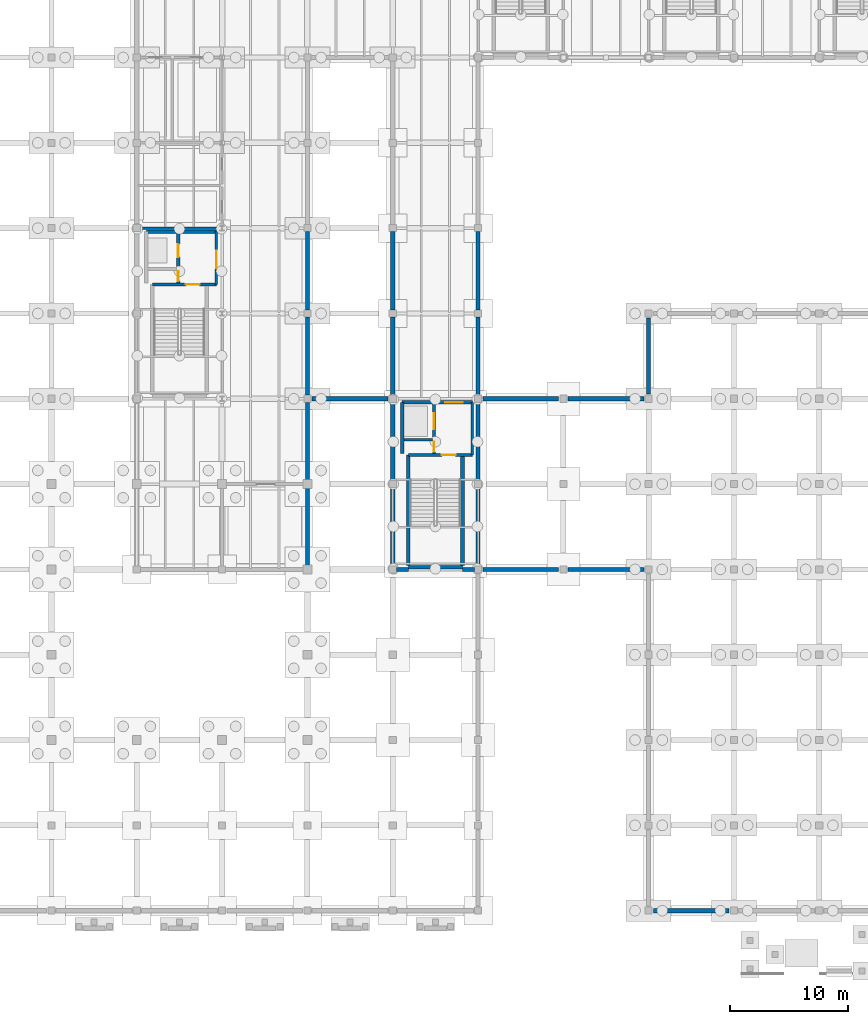
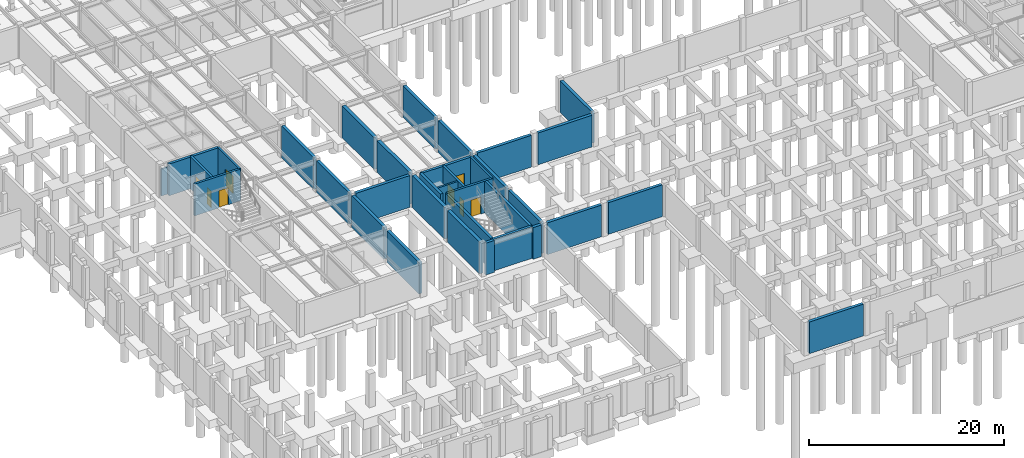
# One storey, part 31 of 46: 35 walls, 8 doors, 8 openings.
"""IFC4 building model written with IfcOpenShell, lengths in metres."""

import ifcopenshell
import ifcopenshell.guid

model = None  # the IFC model being written
_history = None  # IfcOwnerHistory: only IFC2X3 demands one
_inside = {}  # id of a spatial element -> (the spatial element, [elements in it])
_under = {}  # id of a project, library or spatial element -> (it, [spatial elements below it])
_declared = {}  # id of a project -> (the project, [libraries it declares])
_typed = {}  # id of a type object -> (the type object, [elements of that type])
_made_of = {}  # id of a material, layer set ... -> (it, [elements and type objects made of it])


def new_model(schema):
    """Start an empty IFC model of exactly this schema.

    Asked for "IFC4X3", IfcOpenShell would pick the latest addendum, in which some entities
    have other attributes; the version numbers below select the first issue.
    IFC2X3 requires an IfcOwnerHistory on every rooted entity: one is made here for all.
    """
    global model, _history
    if schema == "IFC4X3":
        model = ifcopenshell.file(schema_version=(4, 3, 0, 0))
    else:
        model = ifcopenshell.file(schema=schema)
    _inside.clear()
    _under.clear()
    _declared.clear()
    _typed.clear()
    _made_of.clear()
    _history = None
    if model.schema == "IFC2X3":
        org = make("IfcOrganization", Name="unknown")
        user = make(
            "IfcPersonAndOrganization",
            ThePerson=make("IfcPerson", FamilyName="unknown"),
            TheOrganization=org,
        )
        app = make(
            "IfcApplication",
            ApplicationDeveloper=org,
            Version="unknown",
            ApplicationFullName="unknown",
            ApplicationIdentifier="unknown",
        )
        _history = make(
            "IfcOwnerHistory",
            OwningUser=user,
            OwningApplication=app,
            ChangeAction="ADDED",
            CreationDate=0,
        )
    return model


def make(cls, **values):
    """One entity of the class cls with the attributes given. An attribute that is None is left unset."""
    return model.create_entity(
        cls, **{name: value for name, value in values.items() if value is not None}
    )


def rooted(cls, **values):
    """An entity with a GlobalId (a new one), such as an element, a storey or a relation."""
    return make(cls, GlobalId=ifcopenshell.guid.new(), OwnerHistory=_history, **values)


def si_unit(unit_type, name, prefix=None):
    """IfcSIUnit, for example si_unit("LENGTHUNIT", "METRE", prefix="MILLI")."""
    return make("IfcSIUnit", UnitType=unit_type, Prefix=prefix, Name=name)


def assignment(units):
    """IfcUnitAssignment: the units of a project."""
    return None if units is None else make("IfcUnitAssignment", Units=units)


def point(xyz):
    """IfcCartesianPoint."""
    return None if xyz is None else make("IfcCartesianPoint", Coordinates=xyz)


def direction(xyz):
    """IfcDirection."""
    return None if xyz is None else make("IfcDirection", DirectionRatios=xyz)


def frame(location, z_axis=None, x_axis=None):
    """IfcAxis2Placement3D, a coordinate frame: its origin and axes. An axis left out is left unset."""
    return make(
        "IfcAxis2Placement3D",
        Location=point(location),
        Axis=direction(z_axis),
        RefDirection=direction(x_axis),
    )


def frame_2d(location, x_axis=None):
    """IfcAxis2Placement2D, a coordinate frame in the plane: its origin and x axis."""
    return make(
        "IfcAxis2Placement2D", Location=point(location), RefDirection=direction(x_axis)
    )


def origin():
    """The frame at (0, 0, 0) with its axes left unset."""
    return frame((0.0, 0.0, 0.0))


def place(relative_to, where):
    """IfcLocalPlacement: puts the frame where relative to a parent placement (None: the world)."""
    return make(
        "IfcLocalPlacement", PlacementRelTo=relative_to, RelativePlacement=where
    )


def context(
    kind, dimensions, precision=None, world=None, true_north=None, identifier=None
):
    """IfcGeometricRepresentationContext, for example the 3D "Model" context."""
    return make(
        "IfcGeometricRepresentationContext",
        ContextIdentifier=identifier,
        ContextType=kind,
        CoordinateSpaceDimension=dimensions,
        Precision=precision,
        WorldCoordinateSystem=world,
        TrueNorth=true_north,
    )


def subcontext(parent, identifier, kind, view, scale=None):
    """IfcGeometricRepresentationSubContext, for example "Body" below "Model"."""
    return make(
        "IfcGeometricRepresentationSubContext",
        ContextIdentifier=identifier,
        ContextType=kind,
        ParentContext=parent,
        TargetScale=scale,
        TargetView=view,
    )


def project(units=None, contexts=None):
    """IfcProject with its units and contexts."""
    return rooted(
        "IfcProject",
        Name="project",
        RepresentationContexts=contexts,
        UnitsInContext=assignment(units),
    )


def spatial(cls, under=None, at=None, **own):
    """A site, building, storey or space (cls), placed at a placement, below another one or the project."""
    s = rooted(cls, ObjectPlacement=at, **own)
    if under is not None:
        _under.setdefault(under.id(), (under, []))[1].append(s)
    return s


def profile(cls, at=None, kind="AREA", **sizes):
    """A parametric profile (cls). Its sizes go by their IFC names, for example OverallWidth=200.0."""
    return make(cls, ProfileType=kind, Position=at, **sizes)


def rectangle(**sizes):
    """IfcRectangleProfileDef."""
    return profile("IfcRectangleProfileDef", **sizes)


def extrude(swept, where, along, depth):
    """IfcExtrudedAreaSolid: the profile swept, set in the frame where, extruded along a direction by depth."""
    return make(
        "IfcExtrudedAreaSolid",
        SweptArea=swept,
        Position=where,
        ExtrudedDirection=direction(along),
        Depth=depth,
    )


def shape(context_of_items, identifier, shape_type, items):
    """IfcShapeRepresentation: the items that make up one representation, for example the "Body"."""
    return make(
        "IfcShapeRepresentation",
        ContextOfItems=context_of_items,
        RepresentationIdentifier=identifier,
        RepresentationType=shape_type,
        Items=items,
    )


def material(Name=None, Category=None):
    """IfcMaterial."""
    return make("IfcMaterial", Name=Name, Category=Category)


def layer(
    of_material, thickness, ventilated=None, Name=None, Category=None, Priority=None
):
    """IfcMaterialLayer: one layer of a wall or slab, of a material (None: an air gap)."""
    return make(
        "IfcMaterialLayer",
        Material=of_material,
        LayerThickness=thickness,
        IsVentilated=ventilated,
        Name=Name,
        Category=Category,
        Priority=Priority,
    )


def layer_set(layers, Name=None):
    """IfcMaterialLayerSet."""
    return make("IfcMaterialLayerSet", MaterialLayers=layers, LayerSetName=Name)


def made_of(thing, what):
    """Note that an element or type object is made of a material, layer set ...; save() writes the relation."""
    if what is not None:
        _made_of.setdefault(what.id(), (what, []))[1].append(thing)
    return thing


def type_object(cls, material=None, **own):
    """A type object (cls), such as IfcWallType, which elements share."""
    return made_of(rooted(cls, **own), material)


def element(
    cls,
    number,
    at=None,
    inside=None,
    cuts=None,
    type_object=None,
    material=None,
    context=None,
    identifier="Body",
    shape_type=None,
    held_by="IfcProductDefinitionShape",
    body=None,
    shapes=None,
    **own,
):
    """One element of the class cls, such as IfcWall. Its Tag is "e" and its number.

    at: its placement. inside: the storey or other place that contains it. cuts: it is an
    opening in that element (IfcRelVoidsElement). A single representation is given by context,
    identifier, shape_type and body (its items); several are given by shapes. held_by: the class
    of the entity that holds the representations. save() writes the other relations.
    """
    e = rooted(cls, Tag="e%d" % number, ObjectPlacement=at, **own)
    if body is not None:
        shapes = [shape(context, identifier, shape_type, body)]
    if shapes is not None:
        e.Representation = make(held_by, Representations=shapes)
    if inside is not None:
        _inside.setdefault(inside.id(), (inside, []))[1].append(e)
    if cuts is not None:
        rooted(
            "IfcRelVoidsElement", RelatingBuildingElement=cuts, RelatedOpeningElement=e
        )
    if type_object is not None:
        _typed.setdefault(type_object.id(), (type_object, []))[1].append(e)
    return made_of(e, material)


def fill(opening, filler):
    """IfcRelFillsElement: the door or window that sits in an opening."""
    return rooted(
        "IfcRelFillsElement",
        RelatingOpeningElement=opening,
        RelatedBuildingElement=filler,
    )


def aggregate(whole, parts):
    """IfcRelAggregates: a whole, such as a stair, and the parts it consists of."""
    return rooted("IfcRelAggregates", RelatingObject=whole, RelatedObjects=parts)


def save(model, path):
    """Write the relations noted so far, then the file.

    IfcRelAggregates (storeys below a building ...), IfcRelContainedInSpatialStructure (elements
    in a storey), IfcRelDefinesByType, IfcRelAssociatesMaterial and IfcRelDeclares: one each for
    every whole, place, type object, material and project.
    """
    for whole, parts in _under.values():
        aggregate(whole, parts)
    for where, things in _inside.values():
        rooted(
            "IfcRelContainedInSpatialStructure",
            RelatedElements=things,
            RelatingStructure=where,
        )
    for kind, things in _typed.values():
        rooted("IfcRelDefinesByType", RelatedObjects=things, RelatingType=kind)
    for what, things in _made_of.values():
        rooted("IfcRelAssociatesMaterial", RelatedObjects=things, RelatingMaterial=what)
    for by, libraries in _declared.values():
        rooted("IfcRelDeclares", RelatingContext=by, RelatedDefinitions=libraries)
    model.write(path)


model = new_model("IFC4")

# Units and contexts
model_context = context("Model", 3, precision=1e-05, world=origin(), true_north=direction((0.0, 1.0)))
body_context = subcontext(model_context, "Body", "Model", "MODEL_VIEW")
ifc_project = project(units=[si_unit("LENGTHUNIT", "METRE"), si_unit("AREAUNIT", "SQUARE_METRE"), si_unit("VOLUMEUNIT", "CUBIC_METRE"), si_unit("PLANEANGLEUNIT", "RADIAN"), si_unit("MASSUNIT", "GRAM", prefix="KILO")], contexts=[model_context])

# Site, building, storey
site_placement = place(None, origin())
site = spatial("IfcSite", under=ifc_project, at=site_placement, CompositionType="ELEMENT")
building_placement = place(site_placement, origin())
building = spatial("IfcBuilding", under=site, at=building_placement, Name="Sillqori Civic Hall", CompositionType="ELEMENT")
storey_placement = place(building_placement, frame((0.0, 0.0, -4.199951171875)))
storey = spatial("IfcBuildingStorey", under=building, at=storey_placement, Name="B01", CompositionType="ELEMENT", Elevation=-4.199951171875)

# Walls
ifc_material_1 = material(Name="Concrete C35/45 (H35)", Category="concrete")
ifc_layer_1 = layer(ifc_material_1, 0.219970703125)
ifc_layer_set_1 = layer_set([ifc_layer_1], Name="Concrete C35/45 (H35)")
wall_type_1 = type_object("IfcWallType", Name="CW-SHR-220", PredefinedType="SHEAR", material=ifc_layer_set_1)
wall_1_placement = place(storey_placement, frame((44.14990234375, 46.949951171875, 0.0), z_axis=(0.0, 0.0, 1.0), x_axis=(1.0, 0.0, 0.0)))
element("IfcWall", 1, at=wall_1_placement, inside=storey, type_object=wall_type_1, Name="B01 C1 Lift-riser divider wall", PredefinedType="SHEAR", context=body_context, shape_type="SweptSolid", body=[
    extrude(rectangle(XDim=2.400146484375, YDim=0.219970703125, at=frame_2d((1.2001953125, 0.0))), origin(), (0.0, 0.0, 1.0), 3.97998046875),
])
wall_2_placement = place(storey_placement, frame((49.919921875, 50.10009765625, 0.0), z_axis=(0.0, 0.0, 1.0), x_axis=(0.0, -1.0, 0.0)))
element("IfcWall", 2, at=wall_2_placement, inside=storey, type_object=wall_type_1, Name="B01 C1 firefighting lobby enclosure wall", PredefinedType="SHEAR", context=body_context, shape_type="SweptSolid", body=[
    extrude(rectangle(XDim=4.4501953125, YDim=0.219970703125, at=frame_2d((2.22509765625, 0.0))), origin(), (0.0, 0.0, 1.0), 3.97998046875),
])

# Wall, opening, door
wall_3_placement = place(storey_placement, frame((28.320068359375, 64.5, 0.0), z_axis=(0.0, 0.0, 1.0), x_axis=(0.0, -1.0, 0.0)))
wall_3 = element("IfcWall", 3, at=wall_3_placement, inside=storey, type_object=wall_type_1, Name="B01 C4 firefighting lobby enclosure wall", PredefinedType="SHEAR", context=body_context, shape_type="SweptSolid", body=[
    extrude(rectangle(XDim=4.449951171875, YDim=0.219970703125, at=frame_2d((2.22509765625, 0.0))), origin(), (0.0, 0.0, 1.0), 3.97998046875),
])
opening_1_placement = place(wall_3_placement, frame((1.625, 0.0, 0.0)))
opening_1 = element("IfcOpeningElement", 4, at=opening_1_placement, cuts=wall_3, Name="Opening FD-03", PredefinedType="OPENING", context=body_context, shape_type="SweptSolid", body=[
    extrude(rectangle(XDim=1.449951171875, YDim=2.199951171875, at=frame_2d((0.72509765625, 1.10009765625))), frame((0.0, 0.119873046875, 0.0), z_axis=(0.0, -1.0, 0.0), x_axis=(1.0, 0.0, 0.0)), (0.0, 0.0, 1.0), 0.239990234375),
])
ifc_material_2 = material(Name="Double-Leaf Smoke-Seal Lobby Door", Category="steel")
door_type_1 = type_object("IfcDoorType", Name="FDR-LOB-145X220", OperationType="NOTDEFINED", PredefinedType="DOOR", material=ifc_material_2)
door_1_placement = place(opening_1_placement, origin())
door_1 = element("IfcDoor", 5, at=door_1_placement, inside=storey, type_object=door_type_1, Name="B01 C4 firefighting lobby exit door", OperationType="DOUBLE_DOOR_SINGLE_SWING", OverallHeight=2.199951171875, OverallWidth=1.449951171875, PredefinedType="DOOR", context=body_context, shape_type="SweptSolid", body=[
    extrude(rectangle(XDim=1.449951171875, YDim=2.199951171875, at=frame_2d((0.72509765625, 1.10009765625))), frame((0.0, 0.02490234375, 0.0), z_axis=(0.0, -1.0, 0.0), x_axis=(1.0, 0.0, 0.0)), (0.0, 0.0, 1.0), 0.050048828125),
])
fill(opening_1, door_1)

ifc_layer_2 = layer(ifc_material_1, 0.260009765625)
ifc_layer_set_2 = layer_set([ifc_layer_2], Name="Concrete C35/45 (H35)")
wall_type_2 = type_object("IfcWallType", Name="CW-SHR-260", PredefinedType="SHEAR", material=ifc_layer_set_2)
wall_4_placement = place(storey_placement, frame((44.510009765625, 45.64990234375, 0.0), z_axis=(0.0, 0.0, 1.0), x_axis=(1.0, 0.0, 0.0)))
wall_4 = element("IfcWall", 6, at=wall_4_placement, inside=storey, type_object=wall_type_2, Name="B01 C1 Stair-lobby fire wall", PredefinedType="SHEAR", context=body_context, shape_type="SweptSolid", body=[
    extrude(rectangle(XDim=5.409912109375, YDim=0.260009765625, at=frame_2d((2.705078125, 0.0))), origin(), (0.0, 0.0, 1.0), 3.97998046875),
])
opening_2_placement = place(wall_4_placement, frame((2.840087890625, 0.0, 0.0)))
opening_2 = element("IfcOpeningElement", 7, at=opening_2_placement, cuts=wall_4, Name="Opening FD-01", PredefinedType="OPENING", context=body_context, shape_type="SweptSolid", body=[
    extrude(rectangle(XDim=1.14990234375, YDim=2.14990234375, at=frame_2d((0.574951171875, 1.074951171875))), frame((0.0, 0.139892578125, 0.0), z_axis=(0.0, -1.0, 0.0), x_axis=(1.0, 0.0, 0.0)), (0.0, 0.0, 1.0), 0.280029296875),
])
ifc_material_3 = material(Name="Galvanized Steel Fire Door FD90S", Category="steel")
door_type_2 = type_object("IfcDoorType", Name="FDR-STR-115X215", OperationType="NOTDEFINED", PredefinedType="DOOR", material=ifc_material_3)
door_2_placement = place(opening_2_placement, origin())
door_2 = element("IfcDoor", 8, at=door_2_placement, inside=storey, type_object=door_type_2, Name="B01 stair ST-01 fire door", OperationType="SINGLE_SWING_RIGHT", OverallHeight=2.14990234375, OverallWidth=1.14990234375, PredefinedType="DOOR", context=body_context, shape_type="SweptSolid", body=[
    extrude(rectangle(XDim=1.14990234375, YDim=2.14990234375, at=frame_2d((0.574951171875, 1.074951171875))), frame((0.0, 0.02490234375, 0.0), z_axis=(0.0, -1.0, 0.0), x_axis=(1.0, 0.0, 0.0)), (0.0, 0.0, 1.0), 0.050048828125),
])
fill(opening_2, door_2)

# Wall, openings, doors
wall_5_placement = place(storey_placement, frame((46.699951171875, 50.10009765625, 0.0), z_axis=(0.0, 0.0, 1.0), x_axis=(0.0, -1.0, 0.0)))
wall_5 = element("IfcWall", 9, at=wall_5_placement, inside=storey, type_object=wall_type_2, Name="B01 C1 Lift landing & riser front wall", PredefinedType="SHEAR", context=body_context, shape_type="SweptSolid", body=[
    extrude(rectangle(XDim=4.320068359375, YDim=0.260009765625, at=frame_2d((2.16015625, 0.0))), origin(), (0.0, 0.0, 1.0), 3.97998046875),
])
opening_3_placement = place(wall_5_placement, frame((0.925048828125, 0.0, 0.0)))
opening_3 = element("IfcOpeningElement", 10, at=opening_3_placement, cuts=wall_5, Name="Opening LD-03", PredefinedType="OPENING", context=body_context, shape_type="SweptSolid", body=[
    extrude(rectangle(XDim=1.35009765625, YDim=2.199951171875, at=frame_2d((0.675048828125, 1.10009765625))), frame((0.0, 0.139892578125, 0.0), z_axis=(0.0, -1.0, 0.0), x_axis=(1.0, 0.0, 0.0)), (0.0, 0.0, 1.0), 0.280029296875),
])
opening_4_placement = place(wall_5_placement, frame((3.324951171875, 0.0, 0.0)))
opening_4 = element("IfcOpeningElement", 11, at=opening_4_placement, cuts=wall_5, Name="Opening FD-05", PredefinedType="OPENING", context=body_context, shape_type="SweptSolid", body=[
    extrude(rectangle(XDim=0.85009765625, YDim=2.050048828125, at=frame_2d((0.425048828125, 1.02490234375))), frame((0.0, 0.139892578125, 0.0), z_axis=(0.0, -1.0, 0.0), x_axis=(1.0, 0.0, 0.0)), (0.0, 0.0, 1.0), 0.280029296875),
])
ifc_material_4 = material(Name="Steel Riser Access Fire Door", Category="steel")
door_type_3 = type_object("IfcDoorType", Name="FDR-RSR-085X205", OperationType="NOTDEFINED", PredefinedType="DOOR", material=ifc_material_4)
door_3_placement = place(opening_4_placement, origin())
door_3 = element("IfcDoor", 12, at=door_3_placement, inside=storey, type_object=door_type_3, Name="B01 MEP riser C1 fire access door", OperationType="SINGLE_SWING_LEFT", OverallHeight=2.050048828125, OverallWidth=0.85009765625, PredefinedType="DOOR", context=body_context, shape_type="SweptSolid", body=[
    extrude(rectangle(XDim=0.85009765625, YDim=2.050048828125, at=frame_2d((0.425048828125, 1.02490234375))), frame((0.0, 0.02490234375, 0.0), z_axis=(0.0, -1.0, 0.0), x_axis=(1.0, 0.0, 0.0)), (0.0, 0.0, 1.0), 0.050048828125),
])
fill(opening_4, door_3)
ifc_material_5 = material(Name="Service Freight Lift Landing Door", Category="steel")
door_type_4 = type_object("IfcDoorType", Name="LDR-SERV-135X220", OperationType="NOTDEFINED", PredefinedType="DOOR", material=ifc_material_5)
door_4_placement = place(opening_3_placement, origin())
door_4 = element("IfcDoor", 13, at=door_4_placement, inside=storey, type_object=door_type_4, Name="B01 lift LF-07 sliding landing door", OperationType="DOUBLE_DOOR_SLIDING", OverallHeight=2.199951171875, OverallWidth=1.35009765625, PredefinedType="DOOR", context=body_context, shape_type="SweptSolid", body=[
    extrude(rectangle(XDim=1.35009765625, YDim=2.199951171875, at=frame_2d((0.675048828125, 1.10009765625))), frame((0.0, 0.02490234375, 0.0), z_axis=(0.0, -1.0, 0.0), x_axis=(1.0, 0.0, 0.0)), (0.0, 0.0, 1.0), 0.050048828125),
])
fill(opening_3, door_4)

# Wall, opening, door
wall_6_placement = place(storey_placement, frame((22.909912109375, 60.050048828125, 0.0), z_axis=(0.0, 0.0, 1.0), x_axis=(1.0, 0.0, 0.0)))
wall_6 = element("IfcWall", 14, at=wall_6_placement, inside=storey, type_object=wall_type_2, Name="B01 C4 Stair-lobby fire wall", PredefinedType="SHEAR", context=body_context, shape_type="SweptSolid", body=[
    extrude(rectangle(XDim=5.41015625, YDim=0.260009765625, at=frame_2d((2.705078125, 0.0))), origin(), (0.0, 0.0, 1.0), 3.97998046875),
])
opening_5_placement = place(wall_6_placement, frame((2.840087890625, 0.0, 0.0)))
opening_5 = element("IfcOpeningElement", 15, at=opening_5_placement, cuts=wall_6, Name="Opening FD-01", PredefinedType="OPENING", context=body_context, shape_type="SweptSolid", body=[
    extrude(rectangle(XDim=1.14990234375, YDim=2.14990234375, at=frame_2d((0.574951171875, 1.074951171875))), frame((0.0, 0.139892578125, 0.0), z_axis=(0.0, -1.0, 0.0), x_axis=(1.0, 0.0, 0.0)), (0.0, 0.0, 1.0), 0.280029296875),
])
door_5_placement = place(opening_5_placement, origin())
door_5 = element("IfcDoor", 16, at=door_5_placement, inside=storey, type_object=door_type_2, Name="B01 stair ST-04 fire door", OperationType="SINGLE_SWING_RIGHT", OverallHeight=2.14990234375, OverallWidth=1.14990234375, PredefinedType="DOOR", context=body_context, shape_type="SweptSolid", body=[
    extrude(rectangle(XDim=1.14990234375, YDim=2.14990234375, at=frame_2d((0.574951171875, 1.074951171875))), frame((0.0, 0.02490234375, 0.0), z_axis=(0.0, -1.0, 0.0), x_axis=(1.0, 0.0, 0.0)), (0.0, 0.0, 1.0), 0.050048828125),
])
fill(opening_5, door_5)

# Wall, openings, doors
wall_7_placement = place(storey_placement, frame((25.10009765625, 64.5, 0.0), z_axis=(0.0, 0.0, 1.0), x_axis=(0.0, -1.0, 0.0)))
wall_7 = element("IfcWall", 17, at=wall_7_placement, inside=storey, type_object=wall_type_2, Name="B01 C4 Lift landing & riser front wall", PredefinedType="SHEAR", context=body_context, shape_type="SweptSolid", body=[
    extrude(rectangle(XDim=4.320068359375, YDim=0.260009765625, at=frame_2d((2.16015625, 0.0))), origin(), (0.0, 0.0, 1.0), 3.97998046875),
])
opening_6_placement = place(wall_7_placement, frame((1.050048828125, 0.0, 0.0)))
opening_6 = element("IfcOpeningElement", 18, at=opening_6_placement, cuts=wall_7, Name="Opening LD-01", PredefinedType="OPENING", context=body_context, shape_type="SweptSolid", body=[
    extrude(rectangle(XDim=1.10009765625, YDim=2.14990234375, at=frame_2d((0.550048828125, 1.074951171875))), frame((0.0, 0.139892578125, 0.0), z_axis=(0.0, -1.0, 0.0), x_axis=(1.0, 0.0, 0.0)), (0.0, 0.0, 1.0), 0.280029296875),
])
opening_7_placement = place(wall_7_placement, frame((3.324951171875, 0.0, 0.0)))
opening_7 = element("IfcOpeningElement", 19, at=opening_7_placement, cuts=wall_7, Name="Opening FD-05", PredefinedType="OPENING", context=body_context, shape_type="SweptSolid", body=[
    extrude(rectangle(XDim=0.85009765625, YDim=2.050048828125, at=frame_2d((0.425048828125, 1.02490234375))), frame((0.0, 0.139892578125, 0.0), z_axis=(0.0, -1.0, 0.0), x_axis=(1.0, 0.0, 0.0)), (0.0, 0.0, 1.0), 0.280029296875),
])
door_6_placement = place(opening_7_placement, origin())
door_6 = element("IfcDoor", 20, at=door_6_placement, inside=storey, type_object=door_type_3, Name="B01 MEP riser C4 fire access door", OperationType="SINGLE_SWING_LEFT", OverallHeight=2.050048828125, OverallWidth=0.85009765625, PredefinedType="DOOR", context=body_context, shape_type="SweptSolid", body=[
    extrude(rectangle(XDim=0.85009765625, YDim=2.050048828125, at=frame_2d((0.425048828125, 1.02490234375))), frame((0.0, 0.02490234375, 0.0), z_axis=(0.0, -1.0, 0.0), x_axis=(1.0, 0.0, 0.0)), (0.0, 0.0, 1.0), 0.050048828125),
])
fill(opening_7, door_6)
ifc_material_6 = material(Name="Stainless Steel Lift Landing Door", Category="steel")
door_type_5 = type_object("IfcDoorType", Name="LDR-PASS-110X215", OperationType="NOTDEFINED", PredefinedType="DOOR", material=ifc_material_6)
door_7_placement = place(opening_6_placement, origin())
door_7 = element("IfcDoor", 21, at=door_7_placement, inside=storey, type_object=door_type_5, Name="B01 lift LF-06 sliding landing door", OperationType="DOUBLE_DOOR_SLIDING", OverallHeight=2.14990234375, OverallWidth=1.10009765625, PredefinedType="DOOR", context=body_context, shape_type="SweptSolid", body=[
    extrude(rectangle(XDim=1.10009765625, YDim=2.14990234375, at=frame_2d((0.550048828125, 1.074951171875))), frame((0.0, 0.02490234375, 0.0), z_axis=(0.0, -1.0, 0.0), x_axis=(1.0, 0.0, 0.0)), (0.0, 0.0, 1.0), 0.050048828125),
])
fill(opening_6, door_7)

# Walls
ifc_layer_3 = layer(ifc_material_1, 0.300048828125)
ifc_layer_set_3 = layer_set([ifc_layer_3], Name="Concrete C35/45 (H35)")
wall_type_3 = type_object("IfcWallType", Name="CW-SHR-300", PredefinedType="SHEAR", material=ifc_layer_set_3)
wall_8_placement = place(storey_placement, frame((44.510009765625, 36.199951171875, 0.0), z_axis=(0.0, 0.0, 1.0), x_axis=(1.0, 0.0, 0.0)))
element("IfcWall", 22, at=wall_8_placement, inside=storey, type_object=wall_type_3, Name="B01 C1 Stair south shear wall", PredefinedType="SHEAR", context=body_context, shape_type="SweptSolid", body=[
    extrude(rectangle(XDim=4.580078125, YDim=0.300048828125, at=frame_2d((2.2900390625, 0.0))), origin(), (0.0, 0.0, 1.0), 3.97998046875),
])
for number, where, z_axis, x_axis, name in (
    (23, (44.510009765625, 36.35009765625, 0.0), (0.0, 0.0, 1.0), (0.0, 1.0, 0.0), "B01 C1 Stair west shear wall"),
    (24, (49.090087890625, 36.35009765625, 0.0), (0.0, 0.0, 1.0), (0.0, 1.0, 0.0), "B01 C1 Stair east shear wall"),
):
    element("IfcWall", number, at=place(storey_placement, frame(where, z_axis=z_axis, x_axis=x_axis)), inside=storey, type_object=wall_type_3, Name=name, PredefinedType="SHEAR", context=body_context, shape_type="SweptSolid", body=[
        extrude(rectangle(XDim=9.2998046875, YDim=0.300048828125, at=frame_2d((4.64990234375, 0.0))), origin(), (0.0, 0.0, 1.0), 3.97998046875),
    ])
wall_9_placement = place(storey_placement, frame((44.0, 45.780029296875, 0.0), z_axis=(0.0, 0.0, 1.0), x_axis=(0.0, 1.0, 0.0)))
element("IfcWall", 25, at=wall_9_placement, inside=storey, type_object=wall_type_3, Name="B01 C1 Lift shaft west shear wall", PredefinedType="SHEAR", context=body_context, shape_type="SweptSolid", body=[
    extrude(rectangle(XDim=4.320068359375, YDim=0.300048828125, at=frame_2d((2.16015625, 0.0))), origin(), (0.0, 0.0, 1.0), 3.97998046875),
])

# Wall, opening, door
wall_10_placement = place(storey_placement, frame((44.0, 50.10009765625, 0.0), z_axis=(0.0, 0.0, 1.0), x_axis=(1.0, 0.0, 0.0)))
wall_10 = element("IfcWall", 26, at=wall_10_placement, inside=storey, type_object=wall_type_3, Name="B01 C1 Core north shear wall", PredefinedType="SHEAR", context=body_context, shape_type="SweptSolid", body=[
    extrude(rectangle(XDim=5.919921875, YDim=0.300048828125, at=frame_2d((2.9599609375, 0.0))), origin(), (0.0, 0.0, 1.0), 3.97998046875),
])
opening_8_placement = place(wall_10_placement, frame((3.64990234375, 0.0, 0.0)))
opening_8 = element("IfcOpeningElement", 27, at=opening_8_placement, cuts=wall_10, Name="Opening FD-03", PredefinedType="OPENING", context=body_context, shape_type="SweptSolid", body=[
    extrude(rectangle(XDim=1.449951171875, YDim=2.199951171875, at=frame_2d((0.72509765625, 1.10009765625))), frame((0.0, 0.159912109375, 0.0), z_axis=(0.0, -1.0, 0.0), x_axis=(1.0, 0.0, 0.0)), (0.0, 0.0, 1.0), 0.320068359375),
])
door_8_placement = place(opening_8_placement, origin())
door_8 = element("IfcDoor", 28, at=door_8_placement, inside=storey, type_object=door_type_1, Name="B01 C1 firefighting lobby north exit door", OperationType="DOUBLE_DOOR_SINGLE_SWING", OverallHeight=2.199951171875, OverallWidth=1.449951171875, PredefinedType="DOOR", context=body_context, shape_type="SweptSolid", body=[
    extrude(rectangle(XDim=1.449951171875, YDim=2.199951171875, at=frame_2d((0.72509765625, 1.10009765625))), frame((0.0, 0.02490234375, 0.0), z_axis=(0.0, -1.0, 0.0), x_axis=(1.0, 0.0, 0.0)), (0.0, 0.0, 1.0), 0.050048828125),
])
fill(opening_8, door_8)

# Walls
wall_11_placement = place(storey_placement, frame((22.39990234375, 64.5, 0.0), z_axis=(0.0, 0.0, 1.0), x_axis=(1.0, 0.0, 0.0)))
element("IfcWall", 29, at=wall_11_placement, inside=storey, type_object=wall_type_3, Name="B01 C4 Core north shear wall", PredefinedType="SHEAR", context=body_context, shape_type="SweptSolid", body=[
    extrude(rectangle(XDim=5.920166015625, YDim=0.300048828125, at=frame_2d((2.9599609375, 0.0))), origin(), (0.0, 0.0, 1.0), 3.97998046875),
])
ifc_material_7 = material(Name="Concrete C25/30 (H25)", Category="concrete")
ifc_layer_4 = layer(ifc_material_7, 0.18994140625)
ifc_layer_set_4 = layer_set([ifc_layer_4], Name="Concrete C25/30 (H25)")
wall_type_4 = type_object("IfcWallType", Name="PT-MAS-190", PredefinedType="PARTITIONING", material=ifc_layer_set_4)
wall_12_placement = place(storey_placement, frame((28.679931640625, 64.800048828125, 0.0), z_axis=(0.0, 0.0, 1.0), x_axis=(-1.0, 0.0, 0.0)))
element("IfcWall", 30, at=wall_12_placement, inside=storey, type_object=wall_type_4, Name="B01 Public Male WC partition S2", PredefinedType="PARTITIONING", context=body_context, shape_type="SweptSolid", body=[
    extrude(rectangle(XDim=6.9599609375, YDim=0.18994140625, at=frame_2d((3.47998046875, 0.0))), origin(), (0.0, 0.0, 1.0), 3.367919921875),
])
ifc_layer_5 = layer(ifc_material_1, 0.35009765625)
ifc_layer_set_5 = layer_set([ifc_layer_5], Name="Concrete C35/45 (H35)")
wall_type_5 = type_object("IfcWallType", Name="RW-H35-350", PredefinedType="USERDEFINED", material=ifc_layer_set_5)
wall_13_placement = place(storey_placement, frame((36.0, 36.300048828125, 0.0), z_axis=(0.0, 0.0, 1.0), x_axis=(0.0, 1.0, 0.0)))
element("IfcWall", 31, at=wall_13_placement, inside=storey, type_object=wall_type_5, Name="Basement retaining wall E 4-5", ObjectType="RETAININGWALL", PredefinedType="USERDEFINED", context=body_context, shape_type="SweptSolid", body=[
    extrude(rectangle(XDim=6.599853515625, YDim=0.35009765625, at=frame_2d((3.2998046875, 0.0))), origin(), (0.0, 0.0, 1.0), 3.97998046875),
])
for number, where, z_axis, x_axis, name in (
    (32, (36.0, 43.5, 0.0), (0.0, 0.0, 1.0), (0.0, 1.0, 0.0), "Basement retaining wall E 4-6"),
    (33, (36.0, 50.699951171875, 0.0), (0.0, 0.0, 1.0), (0.0, 1.0, 0.0), "Basement retaining wall E 4-7"),
    (34, (36.0, 57.89990234375, 0.0), (0.0, 0.0, 1.0), (0.0, 1.0, 0.0), "Basement retaining wall E 4-8"),
):
    element("IfcWall", number, at=place(storey_placement, frame(where, z_axis=z_axis, x_axis=x_axis)), inside=storey, type_object=wall_type_5, Name=name, ObjectType="RETAININGWALL", PredefinedType="USERDEFINED", context=body_context, shape_type="SweptSolid", body=[
        extrude(rectangle(XDim=6.60009765625, YDim=0.35009765625, at=frame_2d((3.300048828125, 0.0))), origin(), (0.0, 0.0, 1.0), 3.97998046875),
    ])
for number, where, z_axis, x_axis, name in (
    (35, (43.5, 36.0, 0.0), (0.0, 0.0, 1.0), (1.0, 0.0, 0.0), "Basement retaining wall S 6-5 part 1"),
    (36, (49.090087890625, 36.0, 0.0), (0.0, 0.0, 1.0), (1.0, 0.0, 0.0), "Basement retaining wall S 6-5 part 2"),
):
    element("IfcWall", number, at=place(storey_placement, frame(where, z_axis=z_axis, x_axis=x_axis)), inside=storey, type_object=wall_type_5, Name=name, ObjectType="RETAININGWALL", PredefinedType="USERDEFINED", context=body_context, shape_type="SweptSolid", body=[
        extrude(rectangle(XDim=1.010009765625, YDim=0.35009765625, at=frame_2d((0.5048828125, 0.0))), origin(), (0.0, 0.0, 1.0), 3.97998046875),
    ])
wall_14_placement = place(storey_placement, frame((50.39990234375, 36.300048828125, 0.0), z_axis=(0.0, 0.0, 1.0), x_axis=(0.0, 1.0, 0.0)))
element("IfcWall", 37, at=wall_14_placement, inside=storey, type_object=wall_type_5, Name="Basement retaining wall E 6-5", ObjectType="RETAININGWALL", PredefinedType="USERDEFINED", context=body_context, shape_type="SweptSolid", body=[
    extrude(rectangle(XDim=6.599853515625, YDim=0.35009765625, at=frame_2d((3.2998046875, 0.0))), origin(), (0.0, 0.0, 1.0), 3.97998046875),
])
for number, where, z_axis, x_axis, name in (
    (38, (50.39990234375, 43.5, 0.0), (0.0, 0.0, 1.0), (0.0, 1.0, 0.0), "Basement retaining wall E 6-6"),
    (39, (50.39990234375, 50.699951171875, 0.0), (0.0, 0.0, 1.0), (0.0, 1.0, 0.0), "Basement retaining wall E 6-7"),
    (40, (50.39990234375, 57.89990234375, 0.0), (0.0, 0.0, 1.0), (0.0, 1.0, 0.0), "Basement retaining wall E 6-8"),
):
    element("IfcWall", number, at=place(storey_placement, frame(where, z_axis=z_axis, x_axis=x_axis)), inside=storey, type_object=wall_type_5, Name=name, ObjectType="RETAININGWALL", PredefinedType="USERDEFINED", context=body_context, shape_type="SweptSolid", body=[
        extrude(rectangle(XDim=6.60009765625, YDim=0.35009765625, at=frame_2d((3.300048828125, 0.0))), origin(), (0.0, 0.0, 1.0), 3.97998046875),
    ])
wall_15_placement = place(storey_placement, frame((36.39990234375, 50.39990234375, 0.0), z_axis=(0.0, 0.0, 1.0), x_axis=(1.0, 0.0, 0.0)))
element("IfcWall", 41, at=wall_15_placement, inside=storey, type_object=wall_type_5, Name="Podium plinth retaining wall N 5-6", ObjectType="RETAININGWALL", PredefinedType="USERDEFINED", context=body_context, shape_type="SweptSolid", body=[
    extrude(rectangle(XDim=6.400146484375, YDim=0.35009765625, at=frame_2d((3.2001953125, 0.0))), origin(), (0.0, 0.0, 1.0), 3.97998046875),
])
for number, where, z_axis, x_axis, name in (
    (42, (50.800048828125, 36.0, 0.0), (0.0, 0.0, 1.0), (1.0, 0.0, 0.0), "Podium plinth retaining wall S 7-5"),
    (43, (50.800048828125, 50.39990234375, 0.0), (0.0, 0.0, 1.0), (1.0, 0.0, 0.0), "Podium plinth retaining wall N 7-6"),
    (44, (58.0, 36.0, 0.0), (0.0, 0.0, 1.0), (1.0, 0.0, 0.0), "Podium plinth retaining wall S 8-5"),
    (45, (58.0, 50.39990234375, 0.0), (0.0, 0.0, 1.0), (1.0, 0.0, 0.0), "Podium plinth retaining wall N 8-6"),
):
    element("IfcWall", number, at=place(storey_placement, frame(where, z_axis=z_axis, x_axis=x_axis)), inside=storey, type_object=wall_type_5, Name=name, ObjectType="RETAININGWALL", PredefinedType="USERDEFINED", context=body_context, shape_type="SweptSolid", body=[
        extrude(rectangle(XDim=6.39990234375, YDim=0.35009765625, at=frame_2d((3.199951171875, 0.0))), origin(), (0.0, 0.0, 1.0), 3.97998046875),
    ])
wall_16_placement = place(storey_placement, frame((65.199951171875, 7.199951171875, 0.0), z_axis=(0.0, 0.0, 1.0), x_axis=(1.0, 0.0, 0.0)))
element("IfcWall", 46, at=wall_16_placement, inside=storey, type_object=wall_type_5, Name="Podium plinth retaining wall S 9-1", ObjectType="RETAININGWALL", PredefinedType="USERDEFINED", context=body_context, shape_type="SweptSolid", body=[
    extrude(rectangle(XDim=6.400146484375, YDim=0.35009765625, at=frame_2d((3.2001953125, 0.0))), origin(), (0.0, 0.0, 1.0), 3.97998046875),
])
wall_17_placement = place(storey_placement, frame((64.800048828125, 50.800048828125, 0.0), z_axis=(0.0, 0.0, 1.0), x_axis=(0.0, 1.0, 0.0)))
element("IfcWall", 47, at=wall_17_placement, inside=storey, type_object=wall_type_5, Name="Podium plinth retaining wall W 9-7", ObjectType="RETAININGWALL", PredefinedType="USERDEFINED", context=body_context, shape_type="SweptSolid", body=[
    extrude(rectangle(XDim=6.39990234375, YDim=0.35009765625, at=frame_2d((3.199951171875, 0.0))), origin(), (0.0, 0.0, 1.0), 3.97998046875),
])
ifc_layer_6 = layer(ifc_material_1, 0.39990234375)
ifc_layer_set_6 = layer_set([ifc_layer_6], Name="Concrete C35/45 (H35)")
wall_type_6 = type_object("IfcWallType", Name="RW-H35-400", PredefinedType="USERDEFINED", material=ifc_layer_set_6)
wall_18_placement = place(storey_placement, frame((43.199951171875, 36.300048828125, 0.0), z_axis=(0.0, 0.0, 1.0), x_axis=(0.0, 1.0, 0.0)))
element("IfcWall", 48, at=wall_18_placement, inside=storey, type_object=wall_type_6, Name="Basement retaining wall W 6-5", ObjectType="RETAININGWALL", PredefinedType="USERDEFINED", context=body_context, shape_type="SweptSolid", body=[
    extrude(rectangle(XDim=6.599853515625, YDim=0.39990234375, at=frame_2d((3.2998046875, 0.0))), origin(), (0.0, 0.0, 1.0), 3.97998046875),
])
for number, where, z_axis, x_axis, name in (
    (49, (43.199951171875, 43.5, 0.0), (0.0, 0.0, 1.0), (0.0, 1.0, 0.0), "Basement retaining wall W 6-6"),
    (50, (43.199951171875, 50.699951171875, 0.0), (0.0, 0.0, 1.0), (0.0, 1.0, 0.0), "Basement retaining wall W 6-7"),
    (51, (43.199951171875, 57.89990234375, 0.0), (0.0, 0.0, 1.0), (0.0, 1.0, 0.0), "Basement retaining wall W 6-8"),
):
    element("IfcWall", number, at=place(storey_placement, frame(where, z_axis=z_axis, x_axis=x_axis)), inside=storey, type_object=wall_type_6, Name=name, ObjectType="RETAININGWALL", PredefinedType="USERDEFINED", context=body_context, shape_type="SweptSolid", body=[
        extrude(rectangle(XDim=6.60009765625, YDim=0.39990234375, at=frame_2d((3.300048828125, 0.0))), origin(), (0.0, 0.0, 1.0), 3.97998046875),
    ])

save(model, "model.ifc")
